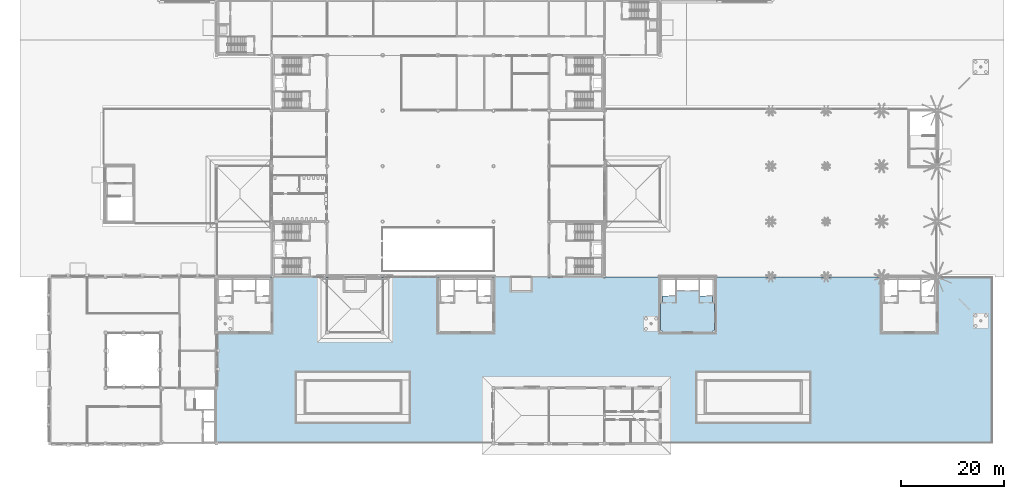
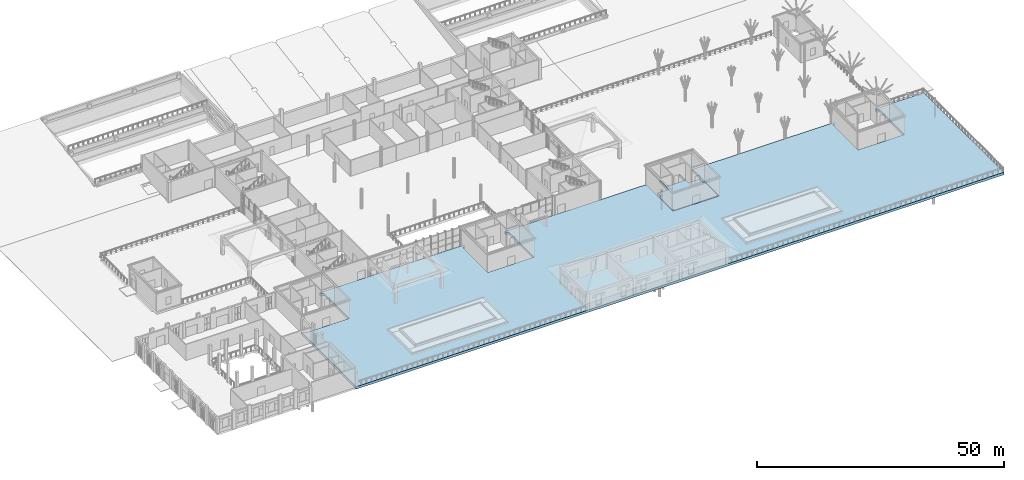
# One storey, part 37 of 91: 2 slabs.
"""IFC4 building model written with IfcOpenShell, lengths in metres."""

from ifc_helpers import new_model, si_unit, direction, frame, origin, place, context, subcontext, project, spatial, polyline, outline, extrude, material, layer, layer_set, type_object, element, save


model = new_model("IFC4")

# Units and contexts
model_context = context("Model", 3, precision=1e-05, world=origin(), true_north=direction((0.0, 1.0)))
body_context = subcontext(model_context, "Body", "Model", "MODEL_VIEW")
ifc_project = project(units=[si_unit("LENGTHUNIT", "METRE"), si_unit("AREAUNIT", "SQUARE_METRE"), si_unit("VOLUMEUNIT", "CUBIC_METRE"), si_unit("PLANEANGLEUNIT", "RADIAN"), si_unit("MASSUNIT", "GRAM", prefix="KILO")], contexts=[model_context])

# Site, building, storey
site_placement = place(None, origin())
site = spatial("IfcSite", under=ifc_project, at=site_placement, CompositionType="ELEMENT")
building_placement = place(site_placement, origin())
building = spatial("IfcBuilding", under=site, at=building_placement, Name="Magnolia Steps Interchange", CompositionType="ELEMENT")
storey_placement = place(building_placement, origin())
storey = spatial("IfcBuildingStorey", under=building, at=storey_placement, Name="L00", CompositionType="ELEMENT", Elevation=0.0)

# Slabs
ifc_material_1 = material(Name="Concrete C35", Category="concrete")
ifc_layer_1 = layer(ifc_material_1, 0.60009765625)
ifc_layer_set_1 = layer_set([ifc_layer_1], Name="Core floor slab 600")
slab_type_1 = type_object("IfcSlabType", Name="Core floor slab 600", PredefinedType="FLOOR", material=ifc_layer_set_1)
slab_1_placement = place(storey_placement, frame((0.0, 0.0, -0.60009765625)))
element("IfcSlab", 1, at=slab_1_placement, inside=storey, type_object=slab_type_1, Name="L00 core floor BC3", PredefinedType="FLOOR", context=body_context, shape_type="SweptSolid", body=[
    extrude(outline(polyline([(129.199951171875, 32.0), (128.925048828125, 32.0), (128.925048828125, 37.300048828125), (129.300048828125, 37.300048828125), (129.300048828125, 38.75), (130.64990234375, 38.75), (130.64990234375, 38.679931640625), (131.85009765625, 38.679931640625), (131.85009765625, 42.27490234375), (132.050048828125, 42.27490234375), (132.050048828125, 39.800048828125), (136.35009765625, 39.800048828125), (136.35009765625, 42.27490234375), (136.550048828125, 42.27490234375), (136.550048828125, 38.75), (137.89990234375, 38.75), (137.89990234375, 38.679931640625), (139.10009765625, 38.679931640625), (139.10009765625, 37.300048828125), (139.47509765625, 37.300048828125), (139.47509765625, 32.0), (139.199951171875, 32.0), (139.199951171875, 31.72509765625), (129.199951171875, 31.72509765625), (129.199951171875, 32.0)])), origin(), (0.0, 0.0, 1.0), 0.60009765625),
])
ifc_material_2 = material(Name="Concrete C40", Category="concrete")
ifc_layer_2 = layer(ifc_material_2, 0.60009765625)
ifc_layer_set_2 = layer_set([ifc_layer_2], Name="Floor slab 600")
slab_type_2 = type_object("IfcSlabType", Name="Floor slab 600", PredefinedType="FLOOR", material=ifc_layer_set_2)
slab_2_placement = place(storey_placement, frame((0.0, 0.0, -0.60009765625)))
element("IfcSlab", 2, at=slab_2_placement, inside=storey, type_object=slab_type_2, Name="Forecourt garden slab", PredefinedType="FLOOR", context=body_context, shape_type="SweptSolid", body=[
    extrude(outline(polyline([(182.14990234375, 42.39990234375), (182.153076171875, 42.336181640625), (182.16259765625, 42.273193359375), (182.177978515625, 42.211181640625), (182.199462890625, 42.1513671875), (182.226806640625, 42.093505859375), (182.259521484375, 42.038818359375), (182.297607421875, 41.987548828125), (182.34033203125, 41.9404296875), (182.3876953125, 41.8974609375), (182.43896484375, 41.859619140625), (182.49365234375, 41.826904296875), (182.55126953125, 41.799560546875), (182.611328125, 41.778076171875), (182.673095703125, 41.762451171875), (182.736328125, 41.753173828125), (182.800048828125, 41.75), (182.800048828125, 31.60009765625), (172.0, 31.60009765625), (172.0, 41.75), (172.063720703125, 41.753173828125), (172.126708984375, 41.762451171875), (172.188720703125, 41.778076171875), (172.248779296875, 41.799560546875), (172.306396484375, 41.826904296875), (172.361083984375, 41.859619140625), (172.412353515625, 41.8974609375), (172.459716796875, 41.9404296875), (172.50244140625, 41.987548828125), (172.54052734375, 42.038818359375), (172.5732421875, 42.093505859375), (172.6005859375, 42.1513671875), (172.6220703125, 42.211181640625), (172.637451171875, 42.273193359375), (172.64697265625, 42.336181640625), (172.64990234375, 42.39990234375), (139.60009765625, 42.39990234375), (139.60009765625, 31.60009765625), (128.800048828125, 31.60009765625), (128.800048828125, 42.39990234375), (95.75, 42.39990234375), (95.753173828125, 42.336181640625), (95.762451171875, 42.273193359375), (95.778076171875, 42.211181640625), (95.799560546875, 42.1513671875), (95.826904296875, 42.093505859375), (95.859619140625, 42.038818359375), (95.8974609375, 41.987548828125), (95.9404296875, 41.9404296875), (95.987548828125, 41.8974609375), (96.038818359375, 41.859619140625), (96.093505859375, 41.826904296875), (96.1513671875, 41.799560546875), (96.211181640625, 41.778076171875), (96.273193359375, 41.762451171875), (96.336181640625, 41.753173828125), (96.39990234375, 41.75), (96.39990234375, 31.60009765625), (85.60009765625, 31.60009765625), (85.60009765625, 41.75), (85.663818359375, 41.753173828125), (85.726806640625, 41.762451171875), (85.788818359375, 41.778076171875), (85.8486328125, 41.799560546875), (85.906494140625, 41.826904296875), (85.961181640625, 41.859619140625), (86.012451171875, 41.8974609375), (86.0595703125, 41.9404296875), (86.1025390625, 41.987548828125), (86.140380859375, 42.038818359375), (86.173095703125, 42.093505859375), (86.200439453125, 42.1513671875), (86.221923828125, 42.211181640625), (86.237548828125, 42.273193359375), (86.246826171875, 42.336181640625), (86.25, 42.39990234375), (52.550048828125, 42.39990234375), (52.552978515625, 42.336181640625), (52.5625, 42.273193359375), (52.577880859375, 42.211181640625), (52.599609375, 42.1513671875), (52.626708984375, 42.093505859375), (52.659423828125, 42.038818359375), (52.697509765625, 41.987548828125), (52.740478515625, 41.9404296875), (52.78759765625, 41.8974609375), (52.8388671875, 41.859619140625), (52.8935546875, 41.826904296875), (52.951416015625, 41.799560546875), (53.01123046875, 41.778076171875), (53.0732421875, 41.762451171875), (53.13623046875, 41.753173828125), (53.199951171875, 41.75), (53.199951171875, 31.60009765625), (43.050048828125, 31.60009765625), (43.046875, 31.663818359375), (43.03759765625, 31.726806640625), (43.02197265625, 31.788818359375), (43.00048828125, 31.8486328125), (42.97314453125, 31.906494140625), (42.9404296875, 31.961181640625), (42.902587890625, 32.012451171875), (42.859619140625, 32.0595703125), (42.8125, 32.1025390625), (42.760986328125, 32.140380859375), (42.706298828125, 32.173095703125), (42.648681640625, 32.200439453125), (42.588623046875, 32.221923828125), (42.52685546875, 32.237548828125), (42.463623046875, 32.246826171875), (42.39990234375, 32.25), (42.39990234375, 10.0), (193.60009765625, 10.0), (193.60009765625, 42.39990234375), (182.14990234375, 42.39990234375)])), origin(), (0.0, 0.0, 1.0), 0.60009765625),
])

save(model, "model.ifc")
